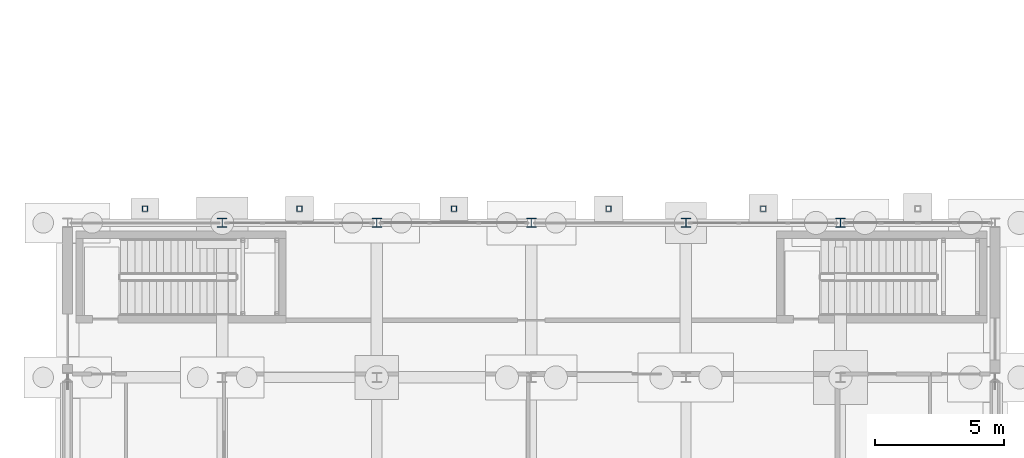
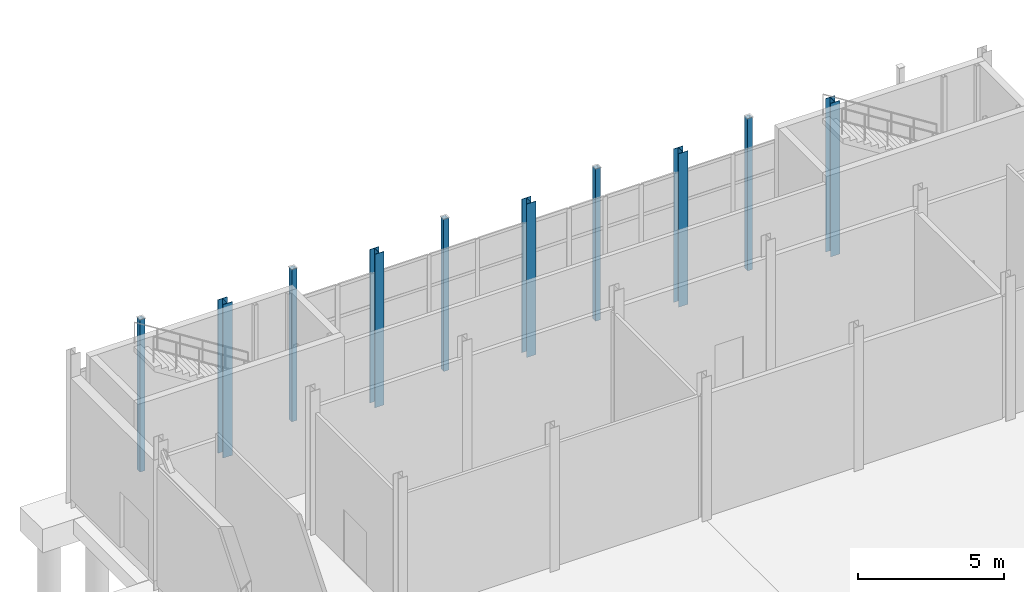
# One storey, part 12 of 120: 10 columns.
"""IFC4 building model written with IfcOpenShell, lengths in metres."""

from ifc_helpers import new_model, si_unit, direction, frame, origin, origin_2d, place, context, subcontext, project, spatial, hollow_rectangle, i_section, extrude, material, material_profile, profile_set, type_object, element, save


model = new_model("IFC4")

# Units and contexts
model_context = context("Model", 3, precision=1e-05, world=origin(), true_north=direction((0.0, 1.0)))
body_context = subcontext(model_context, "Body", "Model", "MODEL_VIEW")
ifc_project = project(units=[si_unit("LENGTHUNIT", "METRE"), si_unit("AREAUNIT", "SQUARE_METRE"), si_unit("VOLUMEUNIT", "CUBIC_METRE"), si_unit("PLANEANGLEUNIT", "RADIAN"), si_unit("MASSUNIT", "GRAM", prefix="KILO")], contexts=[model_context])

# Site, building, storey
site_placement = place(None, origin())
site = spatial("IfcSite", under=ifc_project, at=site_placement, CompositionType="ELEMENT")
building_placement = place(site_placement, origin())
building = spatial("IfcBuilding", under=site, at=building_placement, Name="Siltcreek Boulevard Central Fire Station", CompositionType="ELEMENT")
storey_placement = place(building_placement, origin())
storey = spatial("IfcBuildingStorey", under=building, at=storey_placement, Name="L01", CompositionType="ELEMENT", Elevation=0.0)

# Columns
ifc_material_1 = material(Name="Structural steel ASTM A992 Gr50", Category="steel")
ifc_material_profile_1 = material_profile(ifc_material_1, i_section(OverallWidth=0.368896484375, OverallDepth=0.35595703125, WebThickness=0.01123046875, FlangeThickness=0.01806640625, at=origin_2d()), Name="W360X134")
ifc_profile_set_1 = profile_set([ifc_material_profile_1], Name="Structural steel ASTM A992 Gr50")
column_type_1 = type_object("IfcColumnType", Name="COL_W360X134", PredefinedType="COLUMN", material=ifc_profile_set_1)
for number, where, z_axis, x_axis, name in (
    (1, (7.800048828125, 54.0, -0.409912109375), (0.0, 0.0, 1.0), (1.0, 0.0, 0.0), "L01 structural column COLG-L01-78-540"),
    (2, (13.800048828125, 54.0, -0.409912109375), (0.0, 0.0, 1.0), (1.0, 0.0, 0.0), "L01 structural column COLG-L01-138-540"),
    (3, (19.800048828125, 54.0, -0.409912109375), (0.0, 0.0, 1.0), (1.0, 0.0, 0.0), "L01 structural column COLG-L01-198-540"),
    (4, (25.800048828125, 54.0, -0.409912109375), (0.0, 0.0, 1.0), (1.0, 0.0, 0.0), "L01 structural column COLG-L01-258-540"),
    (5, (31.800048828125, 54.0, -0.409912109375), (0.0, 0.0, 1.0), (1.0, 0.0, 0.0), "L01 structural column COLG-L01-318-540"),
):
    element("IfcColumn", number, at=place(storey_placement, frame(where, z_axis=z_axis, x_axis=x_axis)), inside=storey, type_object=column_type_1, Name=name, PredefinedType="COLUMN", context=body_context, shape_type="SweptSolid", body=[
        extrude(i_section(OverallWidth=0.368896484375, OverallDepth=0.35595703125, WebThickness=0.01123046875, FlangeThickness=0.01806640625, at=origin_2d()), origin(), (0.0, 0.0, 1.0), 6.409912109375),
    ])
ifc_material_2 = material(Name="Structural steel ASTM A500 GrC", Category="steel")
ifc_material_profile_2 = material_profile(ifc_material_2, hollow_rectangle(XDim=0.199951171875, YDim=0.199951171875, WallThickness=0.009521484375, at=origin_2d()), Name="HSS200X200X9.5")
ifc_profile_set_2 = profile_set([ifc_material_profile_2], Name="Structural steel ASTM A500 GrC")
column_type_2 = type_object("IfcColumnType", Name="PIL_HSS200X200", PredefinedType="PILASTER", material=ifc_profile_set_2)
for number, where, z_axis, x_axis, name in (
    (6, (4.800048828125, 54.550048828125, -0.35009765625), (0.0, 0.0, 1.0), (1.0, 0.0, 0.0), "Terracotta pier pilaster column PL-10"),
    (7, (10.800048828125, 54.550048828125, -0.35009765625), (0.0, 0.0, 1.0), (1.0, 0.0, 0.0), "Terracotta pier pilaster column PL-11"),
    (8, (16.800048828125, 54.550048828125, -0.35009765625), (0.0, 0.0, 1.0), (1.0, 0.0, 0.0), "Terracotta pier pilaster column PL-12"),
    (9, (22.800048828125, 54.550048828125, -0.35009765625), (0.0, 0.0, 1.0), (1.0, 0.0, 0.0), "Terracotta pier pilaster column PL-13"),
    (10, (28.800048828125, 54.550048828125, -0.35009765625), (0.0, 0.0, 1.0), (1.0, 0.0, 0.0), "Terracotta pier pilaster column PL-14"),
):
    element("IfcColumn", number, at=place(storey_placement, frame(where, z_axis=z_axis, x_axis=x_axis)), inside=storey, type_object=column_type_2, Name=name, PredefinedType="PILASTER", context=body_context, shape_type="SweptSolid", body=[
        extrude(hollow_rectangle(XDim=0.199951171875, YDim=0.199951171875, WallThickness=0.009521484375, at=origin_2d()), origin(), (0.0, 0.0, 1.0), 6.35009765625),
    ])

save(model, "model.ifc")
